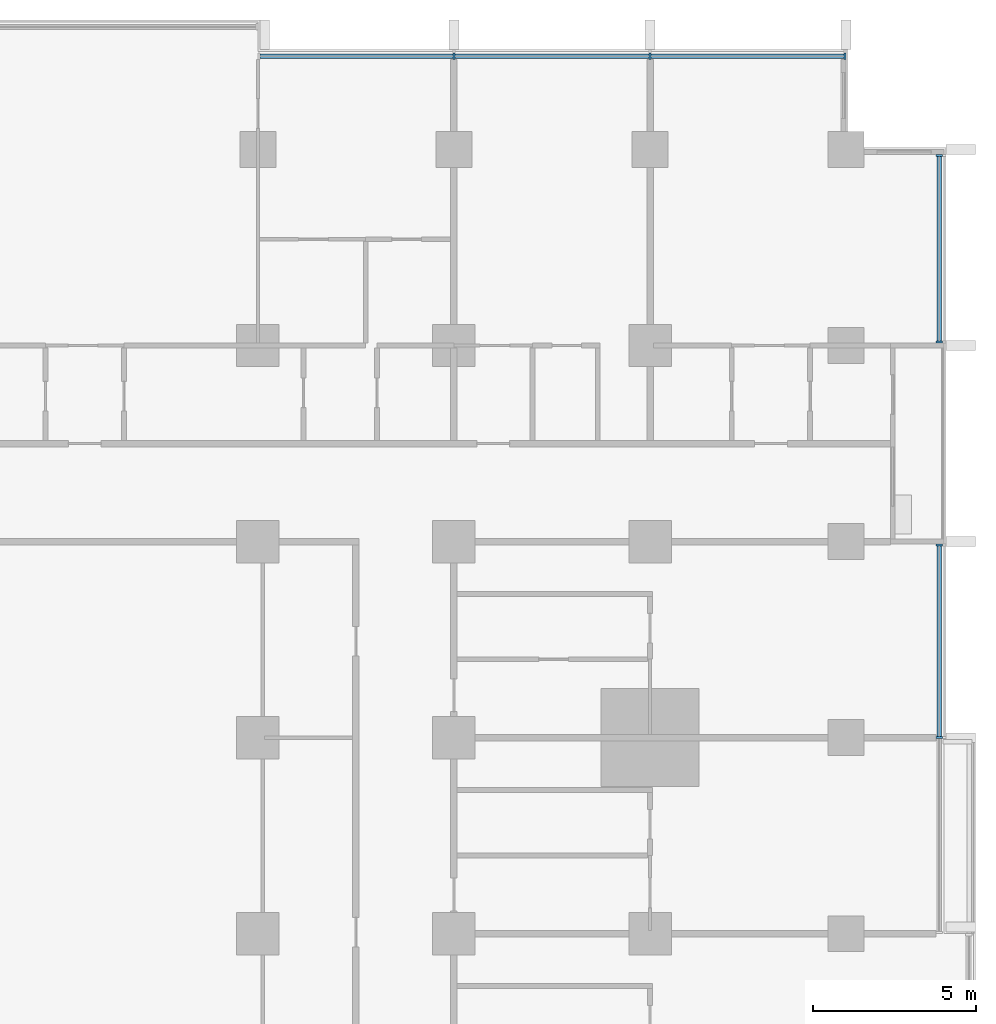
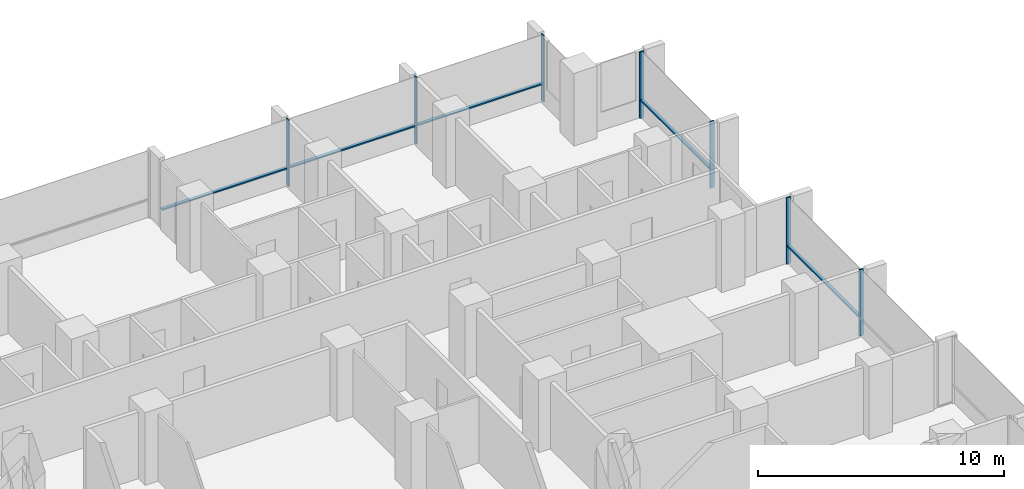
# One storey, part 5 of 18: 12 members, 3 elements without a shape of their own.
"""IFC4 building model written with IfcOpenShell, lengths in metres."""

from ifc_helpers import new_model, si_unit, direction, frame, origin, origin_2d, place, context, subcontext, project, spatial, rectangle, extrude, material, material_profile, profile_set, type_object, element, aggregate, save


model = new_model("IFC4")

# Units and contexts
model_context = context("Model", 3, precision=1e-05, world=origin(), true_north=direction((0.0, 1.0)))
body_context = subcontext(model_context, "Body", "Model", "MODEL_VIEW")
ifc_project = project(units=[si_unit("LENGTHUNIT", "METRE"), si_unit("AREAUNIT", "SQUARE_METRE"), si_unit("VOLUMEUNIT", "CUBIC_METRE"), si_unit("PLANEANGLEUNIT", "RADIAN"), si_unit("MASSUNIT", "GRAM", prefix="KILO")], contexts=[model_context])

# Site, building, storey
site_placement = place(None, origin())
site = spatial("IfcSite", under=ifc_project, at=site_placement, CompositionType="ELEMENT")
building_placement = place(site_placement, origin())
building = spatial("IfcBuilding", under=site, at=building_placement, Name="Finial Court Residences", CompositionType="ELEMENT")
storey_placement = place(building_placement, frame((0.0, 0.0, 54.10009765625)))
storey = spatial("IfcBuildingStorey", under=building, at=storey_placement, Name="L12", CompositionType="ELEMENT", Elevation=54.10009765625)

# Curtain wall, members
ifc_material = material(Name="Bronze anodised aluminium", Category="aluminium")
curtain_wall_type = type_object("IfcCurtainWallType", Name="Unitised curtain wall, lower and middle zones", PredefinedType="NOTDEFINED", material=ifc_material)
curtain_wall_1_placement = place(storey_placement, origin())
curtain_wall_1 = element("IfcCurtainWall", 1, at=curtain_wall_1_placement, inside=storey, type_object=curtain_wall_type, Name="E-L12-CW-N3", PredefinedType="NOTDEFINED")
ifc_material_profile_1 = material_profile(ifc_material, rectangle(XDim=0.199951171875, YDim=0.06494140625, at=origin_2d()), Name="CW1 mullion 65 x 200")
ifc_profile_set_1 = profile_set([ifc_material_profile_1], Name="Bronze anodised aluminium")
member_type_1 = type_object("IfcMemberType", Name="CW1 mullion 65 x 200", PredefinedType="MULLION", material=ifc_profile_set_1)
member_1_placement = place(storey_placement, frame((10.5, 28.35009765625, 0.0), z_axis=(0.0, 0.0, 1.0), x_axis=(0.0, 1.0, 0.0)))
member_1 = element("IfcMember", 2, at=member_1_placement, type_object=member_type_1, Name="CW1 mullion 2", PredefinedType="MULLION", context=body_context, shape_type="SweptSolid", body=[
    extrude(rectangle(XDim=0.199951171875, YDim=0.06494140625, at=origin_2d()), origin(), (0.0, 0.0, 1.0), 3.2998046875),
])
member_2_placement = place(storey_placement, frame((16.5, 28.35009765625, 0.0), z_axis=(0.0, 0.0, 1.0), x_axis=(0.0, 1.0, 0.0)))
member_2 = element("IfcMember", 3, at=member_2_placement, type_object=member_type_1, Name="CW1 mullion 3", PredefinedType="MULLION", context=body_context, shape_type="SweptSolid", body=[
    extrude(rectangle(XDim=0.199951171875, YDim=0.06494140625, at=origin_2d()), origin(), (0.0, 0.0, 1.0), 3.2998046875),
])
member_3_placement = place(storey_placement, frame((22.467529296875, 28.35009765625, 0.0), z_axis=(0.0, 0.0, 1.0), x_axis=(0.0, 1.0, 0.0)))
member_3 = element("IfcMember", 4, at=member_3_placement, type_object=member_type_1, Name="CW1 mullion 4", PredefinedType="MULLION", context=body_context, shape_type="SweptSolid", body=[
    extrude(rectangle(XDim=0.199951171875, YDim=0.06494140625, at=origin_2d()), origin(), (0.0, 0.0, 1.0), 3.2998046875),
])

curtain_wall_2_placement = place(storey_placement, origin())
curtain_wall_2 = element("IfcCurtainWall", 5, at=curtain_wall_2_placement, inside=storey, type_object=curtain_wall_type, Name="E-L12-CW-E6", PredefinedType="NOTDEFINED")
member_4_placement = place(storey_placement, frame((25.35009765625, 7.5, 0.0), z_axis=(0.0, 0.0, 1.0), x_axis=(-1.0, 0.0, 0.0)))
member_4 = element("IfcMember", 6, at=member_4_placement, type_object=member_type_1, Name="CW1 mullion 2", PredefinedType="MULLION", context=body_context, shape_type="SweptSolid", body=[
    extrude(rectangle(XDim=0.199951171875, YDim=0.06494140625, at=origin_2d()), origin(), (0.0, 0.0, 1.0), 3.2998046875),
])
member_5_placement = place(storey_placement, frame((25.35009765625, 13.392578125, 0.0), z_axis=(0.0, 0.0, 1.0), x_axis=(-1.0, 0.0, 0.0)))
member_5 = element("IfcMember", 7, at=member_5_placement, type_object=member_type_1, Name="CW1 mullion 3", PredefinedType="MULLION", context=body_context, shape_type="SweptSolid", body=[
    extrude(rectangle(XDim=0.199951171875, YDim=0.06494140625, at=origin_2d()), origin(), (0.0, 0.0, 1.0), 3.2998046875),
])

curtain_wall_3_placement = place(storey_placement, origin())
curtain_wall_3 = element("IfcCurtainWall", 8, at=curtain_wall_3_placement, inside=storey, type_object=curtain_wall_type, Name="E-L12-CW-E7", PredefinedType="NOTDEFINED")
member_6_placement = place(storey_placement, frame((25.35009765625, 19.607421875, 0.0), z_axis=(0.0, 0.0, 1.0), x_axis=(-1.0, 0.0, 0.0)))
member_6 = element("IfcMember", 9, at=member_6_placement, type_object=member_type_1, Name="CW1 mullion 1", PredefinedType="MULLION", context=body_context, shape_type="SweptSolid", body=[
    extrude(rectangle(XDim=0.199951171875, YDim=0.06494140625, at=origin_2d()), origin(), (0.0, 0.0, 1.0), 3.2998046875),
])
member_7_placement = place(storey_placement, frame((25.35009765625, 25.3173828125, 0.0), z_axis=(0.0, 0.0, 1.0), x_axis=(-1.0, 0.0, 0.0)))
member_7 = element("IfcMember", 10, at=member_7_placement, type_object=member_type_1, Name="CW1 mullion 2", PredefinedType="MULLION", context=body_context, shape_type="SweptSolid", body=[
    extrude(rectangle(XDim=0.199951171875, YDim=0.06494140625, at=origin_2d()), origin(), (0.0, 0.0, 1.0), 3.2998046875),
])

# Member
ifc_material_profile_2 = material_profile(ifc_material, rectangle(XDim=0.14990234375, YDim=0.06494140625, at=origin_2d()), Name="CW1 transom 65 x 150")
ifc_profile_set_2 = profile_set([ifc_material_profile_2], Name="Bronze anodised aluminium")
member_type_2 = type_object("IfcMemberType", Name="CW1 transom 65 x 150", PredefinedType="USERDEFINED", material=ifc_profile_set_2)
member_8_placement = place(storey_placement, frame((4.56494140625, 28.35009765625, 0.89990234375), z_axis=(1.0, 0.0, 0.0), x_axis=(0.0, 1.0, 0.0)))
member_8 = element("IfcMember", 11, at=member_8_placement, type_object=member_type_2, Name="CW1 transom 1.1", ObjectType="TRANSOM", PredefinedType="USERDEFINED", context=body_context, shape_type="SweptSolid", body=[
    extrude(rectangle(XDim=0.14990234375, YDim=0.06494140625, at=origin_2d()), origin(), (0.0, 0.0, 1.0), 5.902587890625),
])

member_9_placement = place(storey_placement, frame((10.532470703125, 28.35009765625, 0.89990234375), z_axis=(1.0, 0.0, 0.0), x_axis=(0.0, 1.0, 0.0)))
member_9 = element("IfcMember", 12, at=member_9_placement, type_object=member_type_2, Name="CW1 transom 2.1", ObjectType="TRANSOM", PredefinedType="USERDEFINED", context=body_context, shape_type="SweptSolid", body=[
    extrude(rectangle(XDim=0.14990234375, YDim=0.06494140625, at=origin_2d()), origin(), (0.0, 0.0, 1.0), 5.93505859375),
])

member_10_placement = place(storey_placement, frame((16.532470703125, 28.35009765625, 0.89990234375), z_axis=(1.0, 0.0, 0.0), x_axis=(0.0, 1.0, 0.0)))
member_10 = element("IfcMember", 13, at=member_10_placement, type_object=member_type_2, Name="CW1 transom 3.1", ObjectType="TRANSOM", PredefinedType="USERDEFINED", context=body_context, shape_type="SweptSolid", body=[
    extrude(rectangle(XDim=0.14990234375, YDim=0.06494140625, at=origin_2d()), origin(), (0.0, 0.0, 1.0), 5.902587890625),
])

aggregate(curtain_wall_1, [member_1, member_2, member_3, member_8, member_9, member_10])

member_11_placement = place(storey_placement, frame((25.35009765625, 7.532470703125, 0.89990234375), z_axis=(0.0, 1.0, 0.0), x_axis=(-1.0, 0.0, 0.0)))
member_11 = element("IfcMember", 14, at=member_11_placement, type_object=member_type_2, Name="CW1 transom 2.1", ObjectType="TRANSOM", PredefinedType="USERDEFINED", context=body_context, shape_type="SweptSolid", body=[
    extrude(rectangle(XDim=0.14990234375, YDim=0.06494140625, at=origin_2d()), origin(), (0.0, 0.0, 1.0), 5.82763671875),
])

aggregate(curtain_wall_2, [member_4, member_5, member_11])

member_12_placement = place(storey_placement, frame((25.35009765625, 19.639892578125, 0.89990234375), z_axis=(0.0, 1.0, 0.0), x_axis=(-1.0, 0.0, 0.0)))
member_12 = element("IfcMember", 15, at=member_12_placement, type_object=member_type_2, Name="CW1 transom 1.1", ObjectType="TRANSOM", PredefinedType="USERDEFINED", context=body_context, shape_type="SweptSolid", body=[
    extrude(rectangle(XDim=0.14990234375, YDim=0.06494140625, at=origin_2d()), origin(), (0.0, 0.0, 1.0), 5.64501953125),
])

aggregate(curtain_wall_3, [member_6, member_7, member_12])

save(model, "model.ifc")
